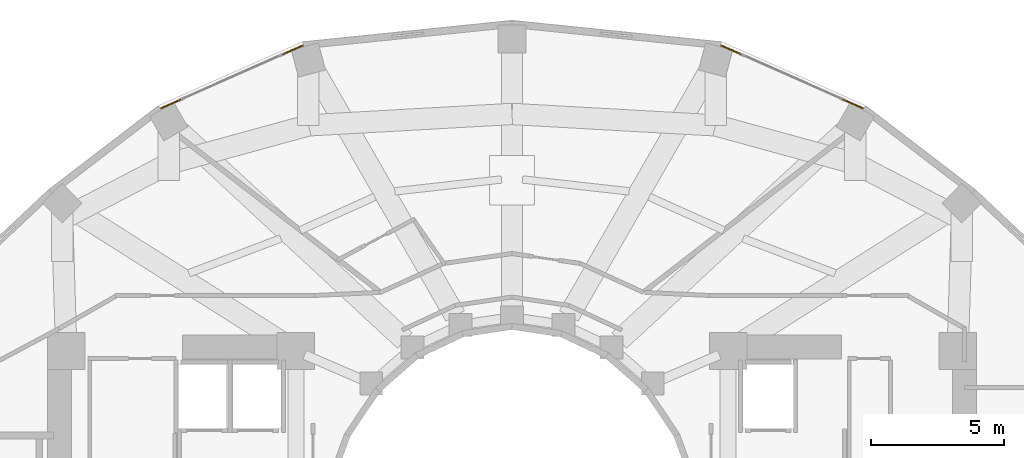
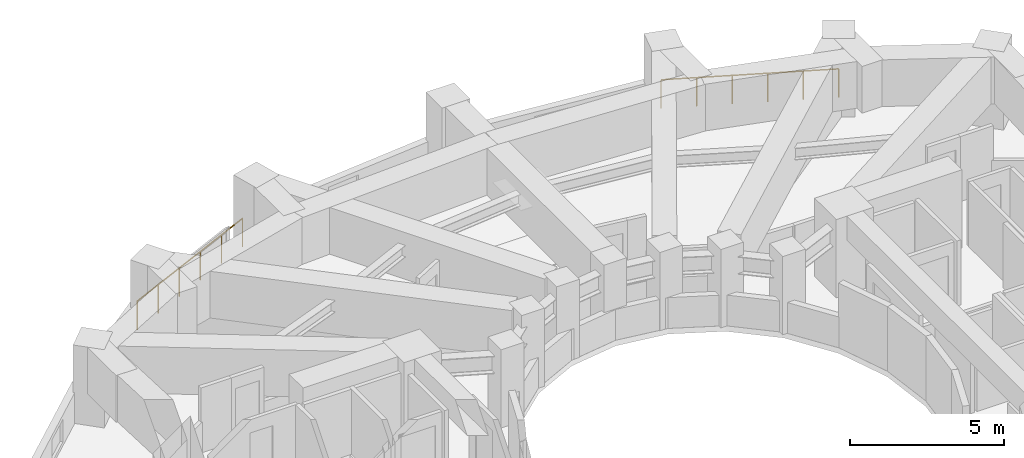
# One storey, part 16 of 16: 2 railings.
"""IFC4 building model written with IfcOpenShell, lengths in metres."""

import ifcopenshell
import ifcopenshell.guid

model = None  # the IFC model being written
_history = None  # IfcOwnerHistory: only IFC2X3 demands one
_inside = {}  # id of a spatial element -> (the spatial element, [elements in it])
_under = {}  # id of a project, library or spatial element -> (it, [spatial elements below it])
_declared = {}  # id of a project -> (the project, [libraries it declares])
_typed = {}  # id of a type object -> (the type object, [elements of that type])
_made_of = {}  # id of a material, layer set ... -> (it, [elements and type objects made of it])


def new_model(schema):
    """Start an empty IFC model of exactly this schema.

    Asked for "IFC4X3", IfcOpenShell would pick the latest addendum, in which some entities
    have other attributes; the version numbers below select the first issue.
    IFC2X3 requires an IfcOwnerHistory on every rooted entity: one is made here for all.
    """
    global model, _history
    if schema == "IFC4X3":
        model = ifcopenshell.file(schema_version=(4, 3, 0, 0))
    else:
        model = ifcopenshell.file(schema=schema)
    _inside.clear()
    _under.clear()
    _declared.clear()
    _typed.clear()
    _made_of.clear()
    _history = None
    if model.schema == "IFC2X3":
        org = make("IfcOrganization", Name="unknown")
        user = make(
            "IfcPersonAndOrganization",
            ThePerson=make("IfcPerson", FamilyName="unknown"),
            TheOrganization=org,
        )
        app = make(
            "IfcApplication",
            ApplicationDeveloper=org,
            Version="unknown",
            ApplicationFullName="unknown",
            ApplicationIdentifier="unknown",
        )
        _history = make(
            "IfcOwnerHistory",
            OwningUser=user,
            OwningApplication=app,
            ChangeAction="ADDED",
            CreationDate=0,
        )
    return model


def make(cls, **values):
    """One entity of the class cls with the attributes given. An attribute that is None is left unset."""
    return model.create_entity(
        cls, **{name: value for name, value in values.items() if value is not None}
    )


def rooted(cls, **values):
    """An entity with a GlobalId (a new one), such as an element, a storey or a relation."""
    return make(cls, GlobalId=ifcopenshell.guid.new(), OwnerHistory=_history, **values)


def si_unit(unit_type, name, prefix=None):
    """IfcSIUnit, for example si_unit("LENGTHUNIT", "METRE", prefix="MILLI")."""
    return make("IfcSIUnit", UnitType=unit_type, Prefix=prefix, Name=name)


def assignment(units):
    """IfcUnitAssignment: the units of a project."""
    return None if units is None else make("IfcUnitAssignment", Units=units)


def point(xyz):
    """IfcCartesianPoint."""
    return None if xyz is None else make("IfcCartesianPoint", Coordinates=xyz)


def direction(xyz):
    """IfcDirection."""
    return None if xyz is None else make("IfcDirection", DirectionRatios=xyz)


def frame(location, z_axis=None, x_axis=None):
    """IfcAxis2Placement3D, a coordinate frame: its origin and axes. An axis left out is left unset."""
    return make(
        "IfcAxis2Placement3D",
        Location=point(location),
        Axis=direction(z_axis),
        RefDirection=direction(x_axis),
    )


def frame_2d(location, x_axis=None):
    """IfcAxis2Placement2D, a coordinate frame in the plane: its origin and x axis."""
    return make(
        "IfcAxis2Placement2D", Location=point(location), RefDirection=direction(x_axis)
    )


def origin():
    """The frame at (0, 0, 0) with its axes left unset."""
    return frame((0.0, 0.0, 0.0))


def origin_2d():
    """The frame at (0, 0) in the plane with its x axis left unset."""
    return frame_2d((0.0, 0.0))


def place(relative_to, where):
    """IfcLocalPlacement: puts the frame where relative to a parent placement (None: the world)."""
    return make(
        "IfcLocalPlacement", PlacementRelTo=relative_to, RelativePlacement=where
    )


def context(
    kind, dimensions, precision=None, world=None, true_north=None, identifier=None
):
    """IfcGeometricRepresentationContext, for example the 3D "Model" context."""
    return make(
        "IfcGeometricRepresentationContext",
        ContextIdentifier=identifier,
        ContextType=kind,
        CoordinateSpaceDimension=dimensions,
        Precision=precision,
        WorldCoordinateSystem=world,
        TrueNorth=true_north,
    )


def subcontext(parent, identifier, kind, view, scale=None):
    """IfcGeometricRepresentationSubContext, for example "Body" below "Model"."""
    return make(
        "IfcGeometricRepresentationSubContext",
        ContextIdentifier=identifier,
        ContextType=kind,
        ParentContext=parent,
        TargetScale=scale,
        TargetView=view,
    )


def project(units=None, contexts=None):
    """IfcProject with its units and contexts."""
    return rooted(
        "IfcProject",
        Name="project",
        RepresentationContexts=contexts,
        UnitsInContext=assignment(units),
    )


def spatial(cls, under=None, at=None, **own):
    """A site, building, storey or space (cls), placed at a placement, below another one or the project."""
    s = rooted(cls, ObjectPlacement=at, **own)
    if under is not None:
        _under.setdefault(under.id(), (under, []))[1].append(s)
    return s


def profile(cls, at=None, kind="AREA", **sizes):
    """A parametric profile (cls). Its sizes go by their IFC names, for example OverallWidth=200.0."""
    return make(cls, ProfileType=kind, Position=at, **sizes)


def circle(**sizes):
    """IfcCircleProfileDef."""
    return profile("IfcCircleProfileDef", **sizes)


def extrude(swept, where, along, depth):
    """IfcExtrudedAreaSolid: the profile swept, set in the frame where, extruded along a direction by depth."""
    return make(
        "IfcExtrudedAreaSolid",
        SweptArea=swept,
        Position=where,
        ExtrudedDirection=direction(along),
        Depth=depth,
    )


def shape(context_of_items, identifier, shape_type, items):
    """IfcShapeRepresentation: the items that make up one representation, for example the "Body"."""
    return make(
        "IfcShapeRepresentation",
        ContextOfItems=context_of_items,
        RepresentationIdentifier=identifier,
        RepresentationType=shape_type,
        Items=items,
    )


def material(Name=None, Category=None):
    """IfcMaterial."""
    return make("IfcMaterial", Name=Name, Category=Category)


def made_of(thing, what):
    """Note that an element or type object is made of a material, layer set ...; save() writes the relation."""
    if what is not None:
        _made_of.setdefault(what.id(), (what, []))[1].append(thing)
    return thing


def type_object(cls, material=None, **own):
    """A type object (cls), such as IfcWallType, which elements share."""
    return made_of(rooted(cls, **own), material)


def element(
    cls,
    number,
    at=None,
    inside=None,
    cuts=None,
    type_object=None,
    material=None,
    context=None,
    identifier="Body",
    shape_type=None,
    held_by="IfcProductDefinitionShape",
    body=None,
    shapes=None,
    **own,
):
    """One element of the class cls, such as IfcWall. Its Tag is "e" and its number.

    at: its placement. inside: the storey or other place that contains it. cuts: it is an
    opening in that element (IfcRelVoidsElement). A single representation is given by context,
    identifier, shape_type and body (its items); several are given by shapes. held_by: the class
    of the entity that holds the representations. save() writes the other relations.
    """
    e = rooted(cls, Tag="e%d" % number, ObjectPlacement=at, **own)
    if body is not None:
        shapes = [shape(context, identifier, shape_type, body)]
    if shapes is not None:
        e.Representation = make(held_by, Representations=shapes)
    if inside is not None:
        _inside.setdefault(inside.id(), (inside, []))[1].append(e)
    if cuts is not None:
        rooted(
            "IfcRelVoidsElement", RelatingBuildingElement=cuts, RelatedOpeningElement=e
        )
    if type_object is not None:
        _typed.setdefault(type_object.id(), (type_object, []))[1].append(e)
    return made_of(e, material)


def aggregate(whole, parts):
    """IfcRelAggregates: a whole, such as a stair, and the parts it consists of."""
    return rooted("IfcRelAggregates", RelatingObject=whole, RelatedObjects=parts)


def save(model, path):
    """Write the relations noted so far, then the file.

    IfcRelAggregates (storeys below a building ...), IfcRelContainedInSpatialStructure (elements
    in a storey), IfcRelDefinesByType, IfcRelAssociatesMaterial and IfcRelDeclares: one each for
    every whole, place, type object, material and project.
    """
    for whole, parts in _under.values():
        aggregate(whole, parts)
    for where, things in _inside.values():
        rooted(
            "IfcRelContainedInSpatialStructure",
            RelatedElements=things,
            RelatingStructure=where,
        )
    for kind, things in _typed.values():
        rooted("IfcRelDefinesByType", RelatedObjects=things, RelatingType=kind)
    for what, things in _made_of.values():
        rooted("IfcRelAssociatesMaterial", RelatedObjects=things, RelatingMaterial=what)
    for by, libraries in _declared.values():
        rooted("IfcRelDeclares", RelatingContext=by, RelatedDefinitions=libraries)
    model.write(path)


model = new_model("IFC4")

# Units and contexts
model_context = context("Model", 3, precision=1e-05, world=origin(), true_north=direction((0.0, 1.0)))
body_context = subcontext(model_context, "Body", "Model", "MODEL_VIEW")
ifc_project = project(units=[si_unit("LENGTHUNIT", "METRE"), si_unit("AREAUNIT", "SQUARE_METRE"), si_unit("VOLUMEUNIT", "CUBIC_METRE"), si_unit("PLANEANGLEUNIT", "RADIAN"), si_unit("MASSUNIT", "GRAM", prefix="KILO")], contexts=[model_context])

# Site, building, storey
site_placement = place(None, origin())
site = spatial("IfcSite", under=ifc_project, at=site_placement, CompositionType="ELEMENT")
building_placement = place(site_placement, origin())
building = spatial("IfcBuilding", under=site, at=building_placement, Name="Solvane Sanctuary Tower", CompositionType="ELEMENT")
storey_placement = place(building_placement, frame((0.0, 0.0, 82.5)))
storey = spatial("IfcBuildingStorey", under=building, at=storey_placement, Name="L24", CompositionType="ELEMENT", Elevation=82.5)

# Railings
ifc_material = material(Name="Architectural Stainless Steel 316", Category="steel")
railing_type = type_object("IfcRailingType", Name="Railing GR-BALC-1150", PredefinedType="BALUSTRADE", material=ifc_material)
railing_1_placement = place(storey_placement, frame((45.14599609375, 39.2900390625, 0.0)))
element("IfcRailing", 1, at=railing_1_placement, inside=storey, type_object=railing_type, Name="L24 Curtain-Wall Perimeter Sill Guard 04", PredefinedType="BALUSTRADE", context=body_context, shape_type="SweptSolid", body=[
    extrude(circle(Radius=0.02392578125, at=origin_2d()), frame((0.0, 0.0, 1.1259765625), z_axis=(-0.91433335621, 0.40496236087, 0.0), x_axis=(-0.40496236087, -0.91433335621, 0.0)), (0.0, 0.0, 1.0), 5.799072265625),
    extrude(circle(Radius=0.02099609375, at=origin_2d()), origin(), (0.0, 0.0, 1.0), 1.101806640625),
    extrude(circle(Radius=0.02099609375, at=origin_2d()), frame((-1.060546875, 0.4697265625, 0.0)), (0.0, 0.0, 1.0), 1.101806640625),
    extrude(circle(Radius=0.02099609375, at=origin_2d()), frame((-2.120849609375, 0.939453125, 0.0)), (0.0, 0.0, 1.0), 1.101806640625),
    extrude(circle(Radius=0.02099609375, at=origin_2d()), frame((-3.181396484375, 1.408935546875, 0.0)), (0.0, 0.0, 1.0), 1.101806640625),
    extrude(circle(Radius=0.02099609375, at=origin_2d()), frame((-4.24169921875, 1.878662109375, 0.0)), (0.0, 0.0, 1.0), 1.101806640625),
    extrude(circle(Radius=0.02099609375, at=origin_2d()), frame((-5.30224609375, 2.348388671875, 0.0)), (0.0, 0.0, 1.0), 1.101806640625),
])
railing_2_placement = place(storey_placement, frame((24.15625, 41.638427734375, 0.0)))
element("IfcRailing", 2, at=railing_2_placement, inside=storey, type_object=railing_type, Name="L24 Curtain-Wall Perimeter Sill Guard 07", PredefinedType="BALUSTRADE", context=body_context, shape_type="SweptSolid", body=[
    extrude(circle(Radius=0.02392578125, at=origin_2d()), frame((0.0, 0.0, 1.1259765625), z_axis=(-0.91433335621, -0.40496236087, 0.0), x_axis=(0.40496236087, -0.91433335621, 0.0)), (0.0, 0.0, 1.0), 5.799072265625),
    extrude(circle(Radius=0.02099609375, at=origin_2d()), origin(), (0.0, 0.0, 1.0), 1.101806640625),
    extrude(circle(Radius=0.02099609375, at=origin_2d()), frame((-1.060546875, -0.4697265625, 0.0)), (0.0, 0.0, 1.0), 1.101806640625),
    extrude(circle(Radius=0.02099609375, at=origin_2d()), frame((-2.120849609375, -0.939453125, 0.0)), (0.0, 0.0, 1.0), 1.101806640625),
    extrude(circle(Radius=0.02099609375, at=origin_2d()), frame((-3.181396484375, -1.408935546875, 0.0)), (0.0, 0.0, 1.0), 1.101806640625),
    extrude(circle(Radius=0.02099609375, at=origin_2d()), frame((-4.24169921875, -1.878662109375, 0.0)), (0.0, 0.0, 1.0), 1.101806640625),
    extrude(circle(Radius=0.02099609375, at=origin_2d()), frame((-5.30224609375, -2.348388671875, 0.0)), (0.0, 0.0, 1.0), 1.101806640625),
])

save(model, "model.ifc")
